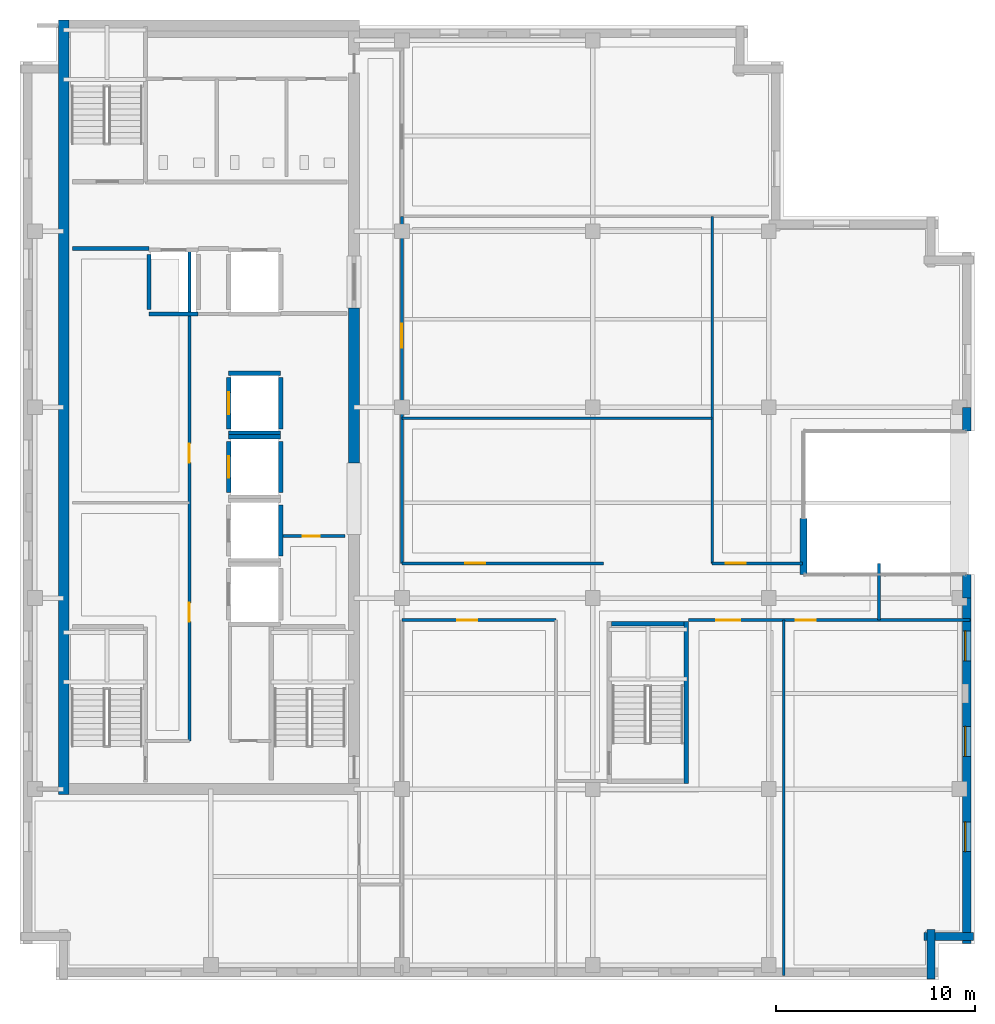
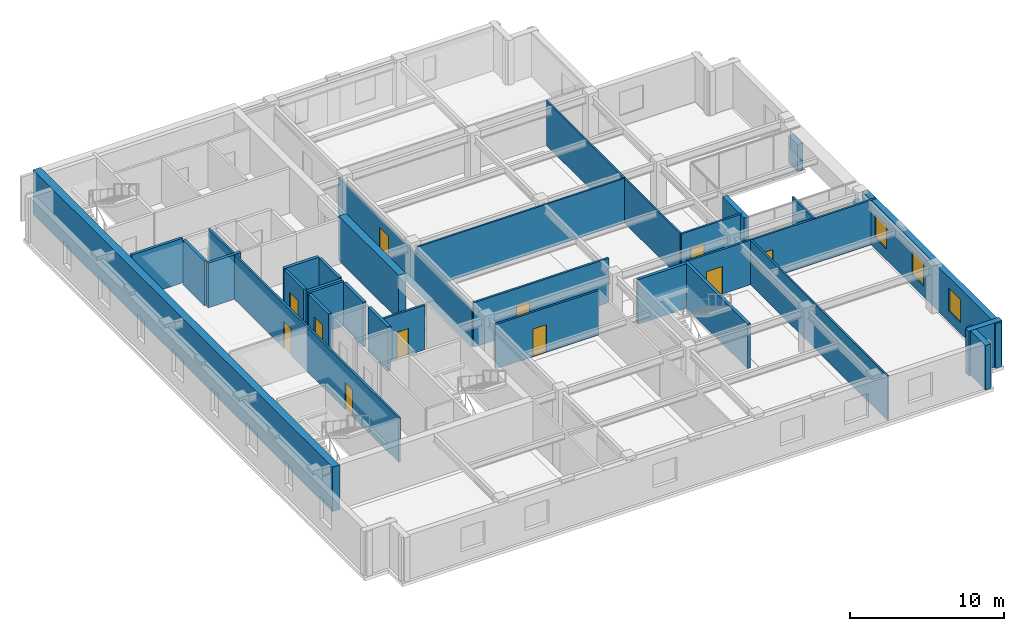
# One storey, part 4 of 11: 32 walls, 11 doors, 3 windows, 14 openings.
"""IFC4 building model written with IfcOpenShell, lengths in metres."""

import ifcopenshell
import ifcopenshell.guid

model = None  # the IFC model being written
_history = None  # IfcOwnerHistory: only IFC2X3 demands one
_inside = {}  # id of a spatial element -> (the spatial element, [elements in it])
_under = {}  # id of a project, library or spatial element -> (it, [spatial elements below it])
_declared = {}  # id of a project -> (the project, [libraries it declares])
_typed = {}  # id of a type object -> (the type object, [elements of that type])
_made_of = {}  # id of a material, layer set ... -> (it, [elements and type objects made of it])


def new_model(schema):
    """Start an empty IFC model of exactly this schema.

    Asked for "IFC4X3", IfcOpenShell would pick the latest addendum, in which some entities
    have other attributes; the version numbers below select the first issue.
    IFC2X3 requires an IfcOwnerHistory on every rooted entity: one is made here for all.
    """
    global model, _history
    if schema == "IFC4X3":
        model = ifcopenshell.file(schema_version=(4, 3, 0, 0))
    else:
        model = ifcopenshell.file(schema=schema)
    _inside.clear()
    _under.clear()
    _declared.clear()
    _typed.clear()
    _made_of.clear()
    _history = None
    if model.schema == "IFC2X3":
        org = make("IfcOrganization", Name="unknown")
        user = make(
            "IfcPersonAndOrganization",
            ThePerson=make("IfcPerson", FamilyName="unknown"),
            TheOrganization=org,
        )
        app = make(
            "IfcApplication",
            ApplicationDeveloper=org,
            Version="unknown",
            ApplicationFullName="unknown",
            ApplicationIdentifier="unknown",
        )
        _history = make(
            "IfcOwnerHistory",
            OwningUser=user,
            OwningApplication=app,
            ChangeAction="ADDED",
            CreationDate=0,
        )
    return model


def make(cls, **values):
    """One entity of the class cls with the attributes given. An attribute that is None is left unset."""
    return model.create_entity(
        cls, **{name: value for name, value in values.items() if value is not None}
    )


def rooted(cls, **values):
    """An entity with a GlobalId (a new one), such as an element, a storey or a relation."""
    return make(cls, GlobalId=ifcopenshell.guid.new(), OwnerHistory=_history, **values)


def si_unit(unit_type, name, prefix=None):
    """IfcSIUnit, for example si_unit("LENGTHUNIT", "METRE", prefix="MILLI")."""
    return make("IfcSIUnit", UnitType=unit_type, Prefix=prefix, Name=name)


def assignment(units):
    """IfcUnitAssignment: the units of a project."""
    return None if units is None else make("IfcUnitAssignment", Units=units)


def point(xyz):
    """IfcCartesianPoint."""
    return None if xyz is None else make("IfcCartesianPoint", Coordinates=xyz)


def direction(xyz):
    """IfcDirection."""
    return None if xyz is None else make("IfcDirection", DirectionRatios=xyz)


def frame(location, z_axis=None, x_axis=None):
    """IfcAxis2Placement3D, a coordinate frame: its origin and axes. An axis left out is left unset."""
    return make(
        "IfcAxis2Placement3D",
        Location=point(location),
        Axis=direction(z_axis),
        RefDirection=direction(x_axis),
    )


def frame_2d(location, x_axis=None):
    """IfcAxis2Placement2D, a coordinate frame in the plane: its origin and x axis."""
    return make(
        "IfcAxis2Placement2D", Location=point(location), RefDirection=direction(x_axis)
    )


def origin():
    """The frame at (0, 0, 0) with its axes left unset."""
    return frame((0.0, 0.0, 0.0))


def place(relative_to, where):
    """IfcLocalPlacement: puts the frame where relative to a parent placement (None: the world)."""
    return make(
        "IfcLocalPlacement", PlacementRelTo=relative_to, RelativePlacement=where
    )


def context(
    kind, dimensions, precision=None, world=None, true_north=None, identifier=None
):
    """IfcGeometricRepresentationContext, for example the 3D "Model" context."""
    return make(
        "IfcGeometricRepresentationContext",
        ContextIdentifier=identifier,
        ContextType=kind,
        CoordinateSpaceDimension=dimensions,
        Precision=precision,
        WorldCoordinateSystem=world,
        TrueNorth=true_north,
    )


def subcontext(parent, identifier, kind, view, scale=None):
    """IfcGeometricRepresentationSubContext, for example "Body" below "Model"."""
    return make(
        "IfcGeometricRepresentationSubContext",
        ContextIdentifier=identifier,
        ContextType=kind,
        ParentContext=parent,
        TargetScale=scale,
        TargetView=view,
    )


def project(units=None, contexts=None):
    """IfcProject with its units and contexts."""
    return rooted(
        "IfcProject",
        Name="project",
        RepresentationContexts=contexts,
        UnitsInContext=assignment(units),
    )


def spatial(cls, under=None, at=None, **own):
    """A site, building, storey or space (cls), placed at a placement, below another one or the project."""
    s = rooted(cls, ObjectPlacement=at, **own)
    if under is not None:
        _under.setdefault(under.id(), (under, []))[1].append(s)
    return s


def profile(cls, at=None, kind="AREA", **sizes):
    """A parametric profile (cls). Its sizes go by their IFC names, for example OverallWidth=200.0."""
    return make(cls, ProfileType=kind, Position=at, **sizes)


def rectangle(**sizes):
    """IfcRectangleProfileDef."""
    return profile("IfcRectangleProfileDef", **sizes)


def extrude(swept, where, along, depth):
    """IfcExtrudedAreaSolid: the profile swept, set in the frame where, extruded along a direction by depth."""
    return make(
        "IfcExtrudedAreaSolid",
        SweptArea=swept,
        Position=where,
        ExtrudedDirection=direction(along),
        Depth=depth,
    )


def shape(context_of_items, identifier, shape_type, items):
    """IfcShapeRepresentation: the items that make up one representation, for example the "Body"."""
    return make(
        "IfcShapeRepresentation",
        ContextOfItems=context_of_items,
        RepresentationIdentifier=identifier,
        RepresentationType=shape_type,
        Items=items,
    )


def material(Name=None, Category=None):
    """IfcMaterial."""
    return make("IfcMaterial", Name=Name, Category=Category)


def layer(
    of_material, thickness, ventilated=None, Name=None, Category=None, Priority=None
):
    """IfcMaterialLayer: one layer of a wall or slab, of a material (None: an air gap)."""
    return make(
        "IfcMaterialLayer",
        Material=of_material,
        LayerThickness=thickness,
        IsVentilated=ventilated,
        Name=Name,
        Category=Category,
        Priority=Priority,
    )


def layer_set(layers, Name=None):
    """IfcMaterialLayerSet."""
    return make("IfcMaterialLayerSet", MaterialLayers=layers, LayerSetName=Name)


def made_of(thing, what):
    """Note that an element or type object is made of a material, layer set ...; save() writes the relation."""
    if what is not None:
        _made_of.setdefault(what.id(), (what, []))[1].append(thing)
    return thing


def type_object(cls, material=None, **own):
    """A type object (cls), such as IfcWallType, which elements share."""
    return made_of(rooted(cls, **own), material)


def element(
    cls,
    number,
    at=None,
    inside=None,
    cuts=None,
    type_object=None,
    material=None,
    context=None,
    identifier="Body",
    shape_type=None,
    held_by="IfcProductDefinitionShape",
    body=None,
    shapes=None,
    **own,
):
    """One element of the class cls, such as IfcWall. Its Tag is "e" and its number.

    at: its placement. inside: the storey or other place that contains it. cuts: it is an
    opening in that element (IfcRelVoidsElement). A single representation is given by context,
    identifier, shape_type and body (its items); several are given by shapes. held_by: the class
    of the entity that holds the representations. save() writes the other relations.
    """
    e = rooted(cls, Tag="e%d" % number, ObjectPlacement=at, **own)
    if body is not None:
        shapes = [shape(context, identifier, shape_type, body)]
    if shapes is not None:
        e.Representation = make(held_by, Representations=shapes)
    if inside is not None:
        _inside.setdefault(inside.id(), (inside, []))[1].append(e)
    if cuts is not None:
        rooted(
            "IfcRelVoidsElement", RelatingBuildingElement=cuts, RelatedOpeningElement=e
        )
    if type_object is not None:
        _typed.setdefault(type_object.id(), (type_object, []))[1].append(e)
    return made_of(e, material)


def fill(opening, filler):
    """IfcRelFillsElement: the door or window that sits in an opening."""
    return rooted(
        "IfcRelFillsElement",
        RelatingOpeningElement=opening,
        RelatedBuildingElement=filler,
    )


def aggregate(whole, parts):
    """IfcRelAggregates: a whole, such as a stair, and the parts it consists of."""
    return rooted("IfcRelAggregates", RelatingObject=whole, RelatedObjects=parts)


def save(model, path):
    """Write the relations noted so far, then the file.

    IfcRelAggregates (storeys below a building ...), IfcRelContainedInSpatialStructure (elements
    in a storey), IfcRelDefinesByType, IfcRelAssociatesMaterial and IfcRelDeclares: one each for
    every whole, place, type object, material and project.
    """
    for whole, parts in _under.values():
        aggregate(whole, parts)
    for where, things in _inside.values():
        rooted(
            "IfcRelContainedInSpatialStructure",
            RelatedElements=things,
            RelatingStructure=where,
        )
    for kind, things in _typed.values():
        rooted("IfcRelDefinesByType", RelatedObjects=things, RelatingType=kind)
    for what, things in _made_of.values():
        rooted("IfcRelAssociatesMaterial", RelatedObjects=things, RelatingMaterial=what)
    for by, libraries in _declared.values():
        rooted("IfcRelDeclares", RelatingContext=by, RelatedDefinitions=libraries)
    model.write(path)


model = new_model("IFC4")

# Units and contexts
model_context = context("Model", 3, precision=1e-05, world=origin(), true_north=direction((0.0, 1.0)))
body_context = subcontext(model_context, "Body", "Model", "MODEL_VIEW")
ifc_project = project(units=[si_unit("LENGTHUNIT", "METRE"), si_unit("AREAUNIT", "SQUARE_METRE"), si_unit("VOLUMEUNIT", "CUBIC_METRE"), si_unit("PLANEANGLEUNIT", "RADIAN"), si_unit("MASSUNIT", "GRAM", prefix="KILO")], contexts=[model_context])

# Site, building, storey
site_placement = place(None, origin())
site = spatial("IfcSite", under=ifc_project, at=site_placement, CompositionType="ELEMENT")
building_placement = place(site_placement, origin())
building = spatial("IfcBuilding", under=site, at=building_placement, Name="Norrvale University Quadrangle", CompositionType="ELEMENT")
storey_placement = place(building_placement, frame((0.0, 0.0, 281.0)))
storey = spatial("IfcBuildingStorey", under=building, at=storey_placement, Name="L71", CompositionType="ELEMENT", Elevation=281.0)

# Walls
ifc_material_1 = material(Name="Buff Norman Clay Brick Masonry", Category="masonry")
ifc_layer_1 = layer(ifc_material_1, 0.419921875, Name="Buff Norman Clay Brick Masonry")
ifc_layer_set_1 = layer_set([ifc_layer_1], Name="Buff Norman Clay Brick Masonry")
wall_type_1 = type_object("IfcWallType", Name="Wall Buff Brick 420", PredefinedType="SOLIDWALL", material=ifc_layer_set_1)
for number, where, z_axis, x_axis, name in (
    (1, (45.81005859375, 0.0400390625, 0.0), (0.0, 0.0, 1.0), (0.0, 1.0, 0.0), "Exterior Brick Facade Wall L71-02.1"),
    (2, (45.4599609375, 2.18994140625, 0.0), (0.0, 0.0, 1.0), (1.0, 0.0, 0.0), "Exterior Brick Facade Wall L71-03.1"),
):
    element("IfcWall", number, at=place(storey_placement, frame(where, z_axis=z_axis, x_axis=x_axis)), inside=storey, type_object=wall_type_1, Name=name, PredefinedType="SOLIDWALL", context=body_context, shape_type="SweptSolid", body=[
        extrude(rectangle(XDim=2.5, YDim=0.419921875, at=frame_2d((1.25, 0.0))), origin(), (0.0, 0.0, 1.0), 3.5400390625),
    ])

# Wall, openings, windows
wall_1_placement = place(storey_placement, frame((47.610107421875, 1.840087890625, 0.0), z_axis=(0.0, 0.0, 1.0), x_axis=(0.0, 1.0, 0.0)))
wall_1 = element("IfcWall", 3, at=wall_1_placement, inside=storey, type_object=wall_type_1, Name="Exterior Brick Facade Wall L71-04.1", PredefinedType="SOLIDWALL", context=body_context, shape_type="SweptSolid", body=[
    extrude(rectangle(XDim=17.35986328125, YDim=0.419921875, at=frame_2d((8.679931640625, 0.0))), origin(), (0.0, 0.0, 1.0), 3.5400390625),
])
opening_1_placement = place(wall_1_placement, frame((4.610107421875, 0.0, 0.85009765625)))
opening_1 = element("IfcOpeningElement", 4, at=opening_1_placement, cuts=wall_1, Name="Opening W03", PredefinedType="OPENING", context=body_context, shape_type="SweptSolid", body=[
    extrude(rectangle(XDim=1.5, YDim=1.85009765625, at=frame_2d((0.75, 0.925048828125))), frame((0.0, 0.221923828125, 0.0), z_axis=(0.0, -1.0, 0.0), x_axis=(1.0, 0.0, 0.0)), (0.0, 0.0, 1.0), 0.44384765625),
])
opening_2_placement = place(wall_1_placement, frame((9.409912109375, 0.0, 0.85009765625)))
opening_2 = element("IfcOpeningElement", 5, at=opening_2_placement, cuts=wall_1, Name="Opening W03", PredefinedType="OPENING", context=body_context, shape_type="SweptSolid", body=[
    extrude(rectangle(XDim=1.5, YDim=1.85009765625, at=frame_2d((0.75, 0.925048828125))), frame((0.0, 0.221923828125, 0.0), z_axis=(0.0, -1.0, 0.0), x_axis=(1.0, 0.0, 0.0)), (0.0, 0.0, 1.0), 0.44384765625),
])
opening_3_placement = place(wall_1_placement, frame((14.2099609375, 0.0, 0.85009765625)))
opening_3 = element("IfcOpeningElement", 6, at=opening_3_placement, cuts=wall_1, Name="Opening W03", PredefinedType="OPENING", context=body_context, shape_type="SweptSolid", body=[
    extrude(rectangle(XDim=1.5, YDim=1.85009765625, at=frame_2d((0.75, 0.925048828125))), frame((0.0, 0.221923828125, 0.0), z_axis=(0.0, -1.0, 0.0), x_axis=(1.0, 0.0, 0.0)), (0.0, 0.0, 1.0), 0.44384765625),
])
ifc_material_2 = material(Name="Triple Low-E Argon Glazing", Category="glass")
window_type = type_object("IfcWindowType", Name="Window Studio 1500x2300", PartitioningType="DOUBLE_PANEL_VERTICAL", PredefinedType="WINDOW", material=ifc_material_2)
window_1_placement = place(opening_1_placement, origin())
window_1 = element("IfcWindow", 7, at=window_1_placement, inside=storey, type_object=window_type, Name="Window Studio 1500x2300 WIN-L71-E04-1-01", OverallHeight=1.85009765625, OverallWidth=1.5, PartitioningType="DOUBLE_PANEL_VERTICAL", PredefinedType="WINDOW", context=body_context, shape_type="SweptSolid", body=[
    extrude(rectangle(XDim=1.5, YDim=1.85009765625, at=frame_2d((0.75, 0.925048828125))), frame((0.0, 0.110107421875, 0.0), z_axis=(0.0, -1.0, 0.0), x_axis=(1.0, 0.0, 0.0)), (0.0, 0.0, 1.0), 0.06005859375),
])
fill(opening_1, window_1)
window_2_placement = place(opening_2_placement, origin())
window_2 = element("IfcWindow", 8, at=window_2_placement, inside=storey, type_object=window_type, Name="Window Studio 1500x2300 WIN-L71-E04-1-02", OverallHeight=1.85009765625, OverallWidth=1.5, PartitioningType="DOUBLE_PANEL_VERTICAL", PredefinedType="WINDOW", context=body_context, shape_type="SweptSolid", body=[
    extrude(rectangle(XDim=1.5, YDim=1.85009765625, at=frame_2d((0.75, 0.925048828125))), frame((0.0, 0.110107421875, 0.0), z_axis=(0.0, -1.0, 0.0), x_axis=(1.0, 0.0, 0.0)), (0.0, 0.0, 1.0), 0.06005859375),
])
fill(opening_2, window_2)
window_3_placement = place(opening_3_placement, origin())
window_3 = element("IfcWindow", 9, at=window_3_placement, inside=storey, type_object=window_type, Name="Window Studio 1500x2300 WIN-L71-E04-1-03", OverallHeight=1.85009765625, OverallWidth=1.5, PartitioningType="DOUBLE_PANEL_VERTICAL", PredefinedType="WINDOW", context=body_context, shape_type="SweptSolid", body=[
    extrude(rectangle(XDim=1.5, YDim=1.85009765625, at=frame_2d((0.75, 0.925048828125))), frame((0.0, 0.110107421875, 0.0), z_axis=(0.0, -1.0, 0.0), x_axis=(1.0, 0.0, 0.0)), (0.0, 0.0, 1.0), 0.06005859375),
])
fill(opening_3, window_3)

# Walls
wall_2_placement = place(storey_placement, frame((47.610107421875, 27.60009765625, 0.0), z_axis=(0.0, 0.0, 1.0), x_axis=(0.0, 1.0, 0.0)))
element("IfcWall", 10, at=wall_2_placement, inside=storey, type_object=wall_type_1, Name="Exterior Brick Facade Wall L71-04.2", PredefinedType="SOLIDWALL", context=body_context, shape_type="SweptSolid", body=[
    extrude(rectangle(XDim=1.199951171875, YDim=0.419921875, at=frame_2d((0.60009765625, 0.0))), origin(), (0.0, 0.0, 1.0), 2.139892578125),
])
wall_3_placement = place(storey_placement, frame((39.39990234375, 20.39990234375, 0.0), z_axis=(0.0, 0.0, 1.0), x_axis=(0.0, 1.0, 0.0)))
element("IfcWall", 11, at=wall_3_placement, inside=storey, type_object=wall_type_1, Name="Sky Garden Loggia Access Wall L71", PredefinedType="SOLIDWALL", context=body_context, shape_type="SweptSolid", body=[
    extrude(rectangle(XDim=2.800048828125, YDim=0.360107421875, at=frame_2d((1.39990234375, 0.0))), origin(), (0.0, 0.0, 1.0), 3.5400390625),
])
wall_4_placement = place(storey_placement, frame((47.610107421875, 19.199951171875, 0.0), z_axis=(0.0, 0.0, 1.0), x_axis=(0.0, 1.0, 0.0)))
element("IfcWall", 12, at=wall_4_placement, inside=storey, type_object=wall_type_1, Name="Exterior Brick Facade Wall L71-04.1 B2", PredefinedType="SOLIDWALL", context=body_context, shape_type="SweptSolid", body=[
    extrude(rectangle(XDim=1.199951171875, YDim=0.419921875, at=frame_2d((0.60009765625, 0.0))), origin(), (0.0, 0.0, 1.0), 2.139892578125),
])
ifc_material_3 = material(Name="Concrete C60/75", Category="concrete")
ifc_layer_2 = layer(ifc_material_3, 0.550048828125, Name="Concrete C60/75")
ifc_layer_set_2 = layer_set([ifc_layer_2], Name="Concrete C60/75")
wall_type_2 = type_object("IfcWallType", Name="Wall Core 550", PredefinedType="SHEAR", material=ifc_layer_set_2)
wall_5_placement = place(storey_placement, frame((2.199951171875, 9.324951171875, 0.0), z_axis=(0.0, 0.0, 1.0), x_axis=(0.0, 1.0, 0.0)))
element("IfcWall", 13, at=wall_5_placement, inside=storey, type_object=wall_type_2, Name="Tower Core Shear Wall L71-W", PredefinedType="SHEAR", context=body_context, shape_type="SweptSolid", body=[
    extrude(rectangle(XDim=38.949951171875, YDim=0.550048828125, at=frame_2d((19.47509765625, 0.0))), origin(), (0.0, 0.0, 1.0), 3.5400390625),
])
wall_6_placement = place(storey_placement, frame((16.800048828125, 26.0, 0.0), z_axis=(0.0, 0.0, 1.0), x_axis=(0.0, 1.0, 0.0)))
element("IfcWall", 14, at=wall_6_placement, inside=storey, type_object=wall_type_2, Name="Tower Core Shear Wall L71-E2", PredefinedType="SHEAR", context=body_context, shape_type="SweptSolid", body=[
    extrude(rectangle(XDim=7.800048828125, YDim=0.550048828125, at=frame_2d((3.89990234375, 0.0))), origin(), (0.0, 0.0, 1.0), 3.5400390625),
])
ifc_material_4 = material(Name="Standard Academic Gypsum Partition")
ifc_layer_3 = layer(ifc_material_4, 0.125, Name="Standard Academic Gypsum Partition")
ifc_layer_set_3 = layer_set([ifc_layer_3], Name="Standard Academic Gypsum Partition")
wall_type_3 = type_object("IfcWallType", Name="Wall Gypsum Academic 125", PredefinedType="PARTITIONING", material=ifc_layer_set_3)
wall_7_placement = place(storey_placement, frame((38.39990234375, 0.219970703125, 0.0), z_axis=(0.0, 0.0, 1.0), x_axis=(0.0, 1.0, 0.0)))
element("IfcWall", 15, at=wall_7_placement, inside=storey, type_object=wall_type_3, Name="Interior Partition WL-L71-SEP2", PredefinedType="PARTITIONING", context=body_context, shape_type="SweptSolid", body=[
    extrude(rectangle(XDim=17.880126953125, YDim=0.125, at=frame_2d((8.93994140625, 0.0))), origin(), (0.0, 0.0, 1.0), 3.5400390625),
])
wall_8_placement = place(storey_placement, frame((19.199951171875, 28.25, 0.0), z_axis=(0.0, 0.0, 1.0), x_axis=(1.0, 0.0, 0.0)))
element("IfcWall", 16, at=wall_8_placement, inside=storey, type_object=wall_type_3, Name="Interior Partition WL-L71-MEN-S", PredefinedType="PARTITIONING", context=body_context, shape_type="SweptSolid", body=[
    extrude(rectangle(XDim=15.60009765625, YDim=0.125, at=frame_2d((7.800048828125, 0.0))), origin(), (0.0, 0.0, 1.0), 3.5400390625),
])
wall_9_placement = place(storey_placement, frame((34.800048828125, 20.949951171875, 0.0), z_axis=(0.0, 0.0, 1.0), x_axis=(0.0, 1.0, 0.0)))
element("IfcWall", 17, at=wall_9_placement, inside=storey, type_object=wall_type_3, Name="Interior Partition WL-L71-MEN-E", PredefinedType="PARTITIONING", context=body_context, shape_type="SweptSolid", body=[
    extrude(rectangle(XDim=17.449951171875, YDim=0.125, at=frame_2d((8.72509765625, 0.0))), origin(), (0.0, 0.0, 1.0), 3.5400390625),
])

# Wall, opening, door
ifc_material_5 = material(Name="Fire-Rated Gypsum Stud Partition")
ifc_layer_4 = layer(ifc_material_5, 0.14990234375, Name="Fire-Rated Gypsum Stud Partition")
ifc_layer_set_4 = layer_set([ifc_layer_4], Name="Fire-Rated Gypsum Stud Partition")
wall_type_4 = type_object("IfcWallType", Name="Wall Gypsum Corridor 150", PredefinedType="PARTITIONING", material=ifc_layer_set_4)
wall_10_placement = place(storey_placement, frame((13.22509765625, 22.320068359375, 0.0), z_axis=(0.0, 0.0, 1.0), x_axis=(1.0, 0.0, 0.0)))
wall_10 = element("IfcWall", 18, at=wall_10_placement, inside=storey, type_object=wall_type_4, Name="Interior Partition WL-L71-JAN-N", PredefinedType="PARTITIONING", context=body_context, shape_type="SweptSolid", body=[
    extrude(rectangle(XDim=3.119873046875, YDim=0.14990234375, at=frame_2d((1.56005859375, 0.0))), origin(), (0.0, 0.0, 1.0), 3.5400390625),
])
opening_4_placement = place(wall_10_placement, frame((1.0, 0.0, 0.0)))
opening_4 = element("IfcOpeningElement", 19, at=opening_4_placement, cuts=wall_10, Name="Opening D10", PredefinedType="OPENING", context=body_context, shape_type="SweptSolid", body=[
    extrude(rectangle(XDim=0.85009765625, YDim=2.10009765625, at=frame_2d((0.425048828125, 1.050048828125))), frame((0.0, 0.0869140625, 0.0), z_axis=(0.0, -1.0, 0.0), x_axis=(1.0, 0.0, 0.0)), (0.0, 0.0, 1.0), 0.173828125),
])
ifc_material_6 = material(Name="Hollow Steel 350W Riser Fire Door", Category="steel")
door_type_1 = type_object("IfcDoorType", Name="Door Riser 850x2100", OperationType="NOTDEFINED", PredefinedType="DOOR", material=ifc_material_6)
door_1_placement = place(opening_4_placement, origin())
door_1 = element("IfcDoor", 20, at=door_1_placement, inside=storey, type_object=door_type_1, Name="Door Riser 850x2100 DR-L71-JAN", OperationType="SINGLE_SWING_LEFT", OverallHeight=2.10009765625, OverallWidth=0.85009765625, PredefinedType="DOOR", context=body_context, shape_type="SweptSolid", body=[
    extrude(rectangle(XDim=0.85009765625, YDim=2.10009765625, at=frame_2d((0.425048828125, 1.050048828125))), frame((0.0, 0.02490234375, 0.0), z_axis=(0.0, -1.0, 0.0), x_axis=(1.0, 0.0, 0.0)), (0.0, 0.0, 1.0), 0.050048828125),
])
fill(opening_4, door_1)

# Wall, openings, doors
wall_11_placement = place(storey_placement, frame((8.52001953125, 12.02001953125, 0.0), z_axis=(0.0, 0.0, 1.0), x_axis=(0.0, 1.0, 0.0)))
wall_11 = element("IfcWall", 21, at=wall_11_placement, inside=storey, type_object=wall_type_4, Name="Interior Partition WL-L71-REC-E", PredefinedType="PARTITIONING", context=body_context, shape_type="SweptSolid", body=[
    extrude(rectangle(XDim=24.760009765625, YDim=0.14990234375, at=frame_2d((12.3798828125, 0.0))), origin(), (0.0, 0.0, 1.0), 3.5400390625),
])
opening_5_placement = place(wall_11_placement, frame((6.0, 0.0, 0.0)))
opening_5 = element("IfcOpeningElement", 22, at=opening_5_placement, cuts=wall_11, Name="Opening D07", PredefinedType="OPENING", context=body_context, shape_type="SweptSolid", body=[
    extrude(rectangle(XDim=0.949951171875, YDim=2.14990234375, at=frame_2d((0.47509765625, 1.074951171875))), frame((0.0, 0.0869140625, 0.0), z_axis=(0.0, -1.0, 0.0), x_axis=(1.0, 0.0, 0.0)), (0.0, 0.0, 1.0), 0.173828125),
])
opening_6_placement = place(wall_11_placement, frame((14.0, 0.0, 0.0)))
opening_6 = element("IfcOpeningElement", 23, at=opening_6_placement, cuts=wall_11, Name="Opening D07", PredefinedType="OPENING", context=body_context, shape_type="SweptSolid", body=[
    extrude(rectangle(XDim=0.949951171875, YDim=2.14990234375, at=frame_2d((0.47509765625, 1.074951171875))), frame((0.0, 0.0869140625, 0.0), z_axis=(0.0, -1.0, 0.0), x_axis=(1.0, 0.0, 0.0)), (0.0, 0.0, 1.0), 0.173828125),
])
ifc_material_7 = material(Name="Solid-Core Maple Door", Category="wood")
door_type_2 = type_object("IfcDoorType", Name="Door Office 950x2150", OperationType="NOTDEFINED", PredefinedType="DOOR", material=ifc_material_7)
door_2_placement = place(opening_5_placement, origin())
door_2 = element("IfcDoor", 24, at=door_2_placement, inside=storey, type_object=door_type_2, Name="Door Office 950x2150 DR-L71-REC1", OperationType="SINGLE_SWING_LEFT", OverallHeight=2.14990234375, OverallWidth=0.949951171875, PredefinedType="DOOR", context=body_context, shape_type="SweptSolid", body=[
    extrude(rectangle(XDim=0.949951171875, YDim=2.14990234375, at=frame_2d((0.47509765625, 1.074951171875))), frame((0.0, 0.02490234375, 0.0), z_axis=(0.0, -1.0, 0.0), x_axis=(1.0, 0.0, 0.0)), (0.0, 0.0, 1.0), 0.050048828125),
])
fill(opening_5, door_2)
door_3_placement = place(opening_6_placement, origin())
door_3 = element("IfcDoor", 25, at=door_3_placement, inside=storey, type_object=door_type_2, Name="Door Office 950x2150 DR-L71-REC2", OperationType="SINGLE_SWING_RIGHT", OverallHeight=2.14990234375, OverallWidth=0.949951171875, PredefinedType="DOOR", context=body_context, shape_type="SweptSolid", body=[
    extrude(rectangle(XDim=0.949951171875, YDim=2.14990234375, at=frame_2d((0.47509765625, 1.074951171875))), frame((0.0, 0.02490234375, 0.0), z_axis=(0.0, -1.0, 0.0), x_axis=(1.0, 0.0, 0.0)), (0.0, 0.0, 1.0), 0.050048828125),
])
fill(opening_6, door_3)

# Wall
wall_12_placement = place(storey_placement, frame((43.199951171875, 18.10009765625, 0.0), z_axis=(0.0, 0.0, 1.0), x_axis=(0.0, 1.0, 0.0)))
element("IfcWall", 26, at=wall_12_placement, inside=storey, type_object=wall_type_4, Name="Interior Partition WL-L71-CESP-E", PredefinedType="PARTITIONING", context=body_context, shape_type="SweptSolid", body=[
    extrude(rectangle(XDim=2.849853515625, YDim=0.14990234375, at=frame_2d((1.4248046875, 0.0))), origin(), (0.0, 0.0, 1.0), 3.5400390625),
])

# Wall, opening, door
wall_13_placement = place(storey_placement, frame((19.199951171875, 18.10009765625, 0.0), z_axis=(0.0, 0.0, 1.0), x_axis=(1.0, 0.0, 0.0)))
wall_13 = element("IfcWall", 27, at=wall_13_placement, inside=storey, type_object=wall_type_4, Name="Interior Partition WL-L71-SEW1", PredefinedType="PARTITIONING", context=body_context, shape_type="SweptSolid", body=[
    extrude(rectangle(XDim=7.75, YDim=0.14990234375, at=frame_2d((3.875, 0.0))), origin(), (0.0, 0.0, 1.0), 3.5400390625),
])
opening_7_placement = place(wall_13_placement, frame((2.800048828125, 0.0, 0.0)))
opening_7 = element("IfcOpeningElement", 28, at=opening_7_placement, cuts=wall_13, Name="Opening D04", PredefinedType="OPENING", context=body_context, shape_type="SweptSolid", body=[
    extrude(rectangle(XDim=1.0, YDim=2.199951171875, at=frame_2d((0.5, 1.10009765625))), frame((0.0, 0.0869140625, 0.0), z_axis=(0.0, -1.0, 0.0), x_axis=(1.0, 0.0, 0.0)), (0.0, 0.0, 1.0), 0.173828125),
])
ifc_material_8 = material(Name="Solid-Core Oak Fire Door", Category="wood")
door_type_3 = type_object("IfcDoorType", Name="Door Corridor 1000x2200", OperationType="NOTDEFINED", PredefinedType="DOOR", material=ifc_material_8)
door_4_placement = place(opening_7_placement, origin())
door_4 = element("IfcDoor", 29, at=door_4_placement, inside=storey, type_object=door_type_3, Name="Door Corridor 1000x2200 DR-L71-SE1", OperationType="SINGLE_SWING_LEFT", OverallHeight=2.199951171875, OverallWidth=1.0, PredefinedType="DOOR", context=body_context, shape_type="SweptSolid", body=[
    extrude(rectangle(XDim=1.0, YDim=2.199951171875, at=frame_2d((0.5, 1.10009765625))), frame((0.0, 0.02490234375, 0.0), z_axis=(0.0, -1.0, 0.0), x_axis=(1.0, 0.0, 0.0)), (0.0, 0.0, 1.0), 0.050048828125),
])
fill(opening_7, door_4)

# Wall, openings, doors
wall_14_placement = place(storey_placement, frame((33.6201171875, 18.10009765625, 0.0), z_axis=(0.0, 0.0, 1.0), x_axis=(1.0, 0.0, 0.0)))
wall_14 = element("IfcWall", 30, at=wall_14_placement, inside=storey, type_object=wall_type_4, Name="Interior Partition WL-L71-SEW2", PredefinedType="PARTITIONING", context=body_context, shape_type="SweptSolid", body=[
    extrude(rectangle(XDim=14.159912109375, YDim=0.14990234375, at=frame_2d((7.080078125, 0.0))), origin(), (0.0, 0.0, 1.0), 3.5400390625),
])
opening_8_placement = place(wall_14_placement, frame((1.39990234375, 0.0, 0.0)))
opening_8 = element("IfcOpeningElement", 31, at=opening_8_placement, cuts=wall_14, Name="Opening D05", PredefinedType="OPENING", context=body_context, shape_type="SweptSolid", body=[
    extrude(rectangle(XDim=1.199951171875, YDim=2.199951171875, at=frame_2d((0.60009765625, 1.10009765625))), frame((0.0, 0.0869140625, 0.0), z_axis=(0.0, -1.0, 0.0), x_axis=(1.0, 0.0, 0.0)), (0.0, 0.0, 1.0), 0.173828125),
])
opening_9_placement = place(wall_14_placement, frame((5.39990234375, 0.0, 0.0)))
opening_9 = element("IfcOpeningElement", 32, at=opening_9_placement, cuts=wall_14, Name="Opening D04", PredefinedType="OPENING", context=body_context, shape_type="SweptSolid", body=[
    extrude(rectangle(XDim=1.0, YDim=2.199951171875, at=frame_2d((0.5, 1.10009765625))), frame((0.0, 0.0869140625, 0.0), z_axis=(0.0, -1.0, 0.0), x_axis=(1.0, 0.0, 0.0)), (0.0, 0.0, 1.0), 0.173828125),
])
ifc_material_9 = material(Name="Acoustic Oak Classroom Door", Category="wood")
door_type_4 = type_object("IfcDoorType", Name="Door Classroom 1200x2200", OperationType="NOTDEFINED", PredefinedType="DOOR", material=ifc_material_9)
door_5_placement = place(opening_8_placement, origin())
door_5 = element("IfcDoor", 33, at=door_5_placement, inside=storey, type_object=door_type_4, Name="Door Classroom 1200x2200 DR-L71-SE2", OperationType="SINGLE_SWING_RIGHT", OverallHeight=2.199951171875, OverallWidth=1.199951171875, PredefinedType="DOOR", context=body_context, shape_type="SweptSolid", body=[
    extrude(rectangle(XDim=1.199951171875, YDim=2.199951171875, at=frame_2d((0.60009765625, 1.10009765625))), frame((0.0, 0.02490234375, 0.0), z_axis=(0.0, -1.0, 0.0), x_axis=(1.0, 0.0, 0.0)), (0.0, 0.0, 1.0), 0.050048828125),
])
fill(opening_8, door_5)
door_6_placement = place(opening_9_placement, origin())
door_6 = element("IfcDoor", 34, at=door_6_placement, inside=storey, type_object=door_type_3, Name="Door Corridor 1000x2200 DR-L71-SE3", OperationType="SINGLE_SWING_LEFT", OverallHeight=2.199951171875, OverallWidth=1.0, PredefinedType="DOOR", context=body_context, shape_type="SweptSolid", body=[
    extrude(rectangle(XDim=1.0, YDim=2.199951171875, at=frame_2d((0.5, 1.10009765625))), frame((0.0, 0.02490234375, 0.0), z_axis=(0.0, -1.0, 0.0), x_axis=(1.0, 0.0, 0.0)), (0.0, 0.0, 1.0), 0.050048828125),
])
fill(opening_9, door_6)

# Wall, opening, door
wall_15_placement = place(storey_placement, frame((19.199951171875, 20.949951171875, 0.0), z_axis=(0.0, 0.0, 1.0), x_axis=(1.0, 0.0, 0.0)))
wall_15 = element("IfcWall", 35, at=wall_15_placement, inside=storey, type_object=wall_type_4, Name="Interior Partition WL-L71-MECW1", PredefinedType="PARTITIONING", context=body_context, shape_type="SweptSolid", body=[
    extrude(rectangle(XDim=10.150146484375, YDim=0.14990234375, at=frame_2d((5.0751953125, 0.0))), origin(), (0.0, 0.0, 1.0), 3.5400390625),
])
opening_10_placement = place(wall_15_placement, frame((3.199951171875, 0.0, 0.0)))
opening_10 = element("IfcOpeningElement", 36, at=opening_10_placement, cuts=wall_15, Name="Opening D04", PredefinedType="OPENING", context=body_context, shape_type="SweptSolid", body=[
    extrude(rectangle(XDim=1.0, YDim=2.199951171875, at=frame_2d((0.5, 1.10009765625))), frame((0.0, 0.0869140625, 0.0), z_axis=(0.0, -1.0, 0.0), x_axis=(1.0, 0.0, 0.0)), (0.0, 0.0, 1.0), 0.173828125),
])
door_7_placement = place(opening_10_placement, origin())
door_7 = element("IfcDoor", 37, at=door_7_placement, inside=storey, type_object=door_type_3, Name="Door Corridor 1000x2200 DR-L71-MEW", OperationType="SINGLE_SWING_LEFT", OverallHeight=2.199951171875, OverallWidth=1.0, PredefinedType="DOOR", context=body_context, shape_type="SweptSolid", body=[
    extrude(rectangle(XDim=1.0, YDim=2.199951171875, at=frame_2d((0.5, 1.10009765625))), frame((0.0, 0.02490234375, 0.0), z_axis=(0.0, -1.0, 0.0), x_axis=(1.0, 0.0, 0.0)), (0.0, 0.0, 1.0), 0.050048828125),
])
fill(opening_10, door_7)

wall_16_placement = place(storey_placement, frame((34.800048828125, 20.949951171875, 0.0), z_axis=(0.0, 0.0, 1.0), x_axis=(1.0, 0.0, 0.0)))
wall_16 = element("IfcWall", 38, at=wall_16_placement, inside=storey, type_object=wall_type_4, Name="Interior Partition WL-L71-MECW2", PredefinedType="PARTITIONING", context=body_context, shape_type="SweptSolid", body=[
    extrude(rectangle(XDim=4.550048828125, YDim=0.14990234375, at=frame_2d((2.27490234375, 0.0))), origin(), (0.0, 0.0, 1.0), 3.5400390625),
])
opening_11_placement = place(wall_16_placement, frame((0.699951171875, 0.0, 0.0)))
opening_11 = element("IfcOpeningElement", 39, at=opening_11_placement, cuts=wall_16, Name="Opening D04", PredefinedType="OPENING", context=body_context, shape_type="SweptSolid", body=[
    extrude(rectangle(XDim=1.0, YDim=2.199951171875, at=frame_2d((0.5, 1.10009765625))), frame((0.0, 0.0869140625, 0.0), z_axis=(0.0, -1.0, 0.0), x_axis=(1.0, 0.0, 0.0)), (0.0, 0.0, 1.0), 0.173828125),
])
door_8_placement = place(opening_11_placement, origin())
door_8 = element("IfcDoor", 40, at=door_8_placement, inside=storey, type_object=door_type_3, Name="Door Corridor 1000x2200 DR-L71-MEE", OperationType="SINGLE_SWING_RIGHT", OverallHeight=2.199951171875, OverallWidth=1.0, PredefinedType="DOOR", context=body_context, shape_type="SweptSolid", body=[
    extrude(rectangle(XDim=1.0, YDim=2.199951171875, at=frame_2d((0.5, 1.10009765625))), frame((0.0, 0.02490234375, 0.0), z_axis=(0.0, -1.0, 0.0), x_axis=(1.0, 0.0, 0.0)), (0.0, 0.0, 1.0), 0.050048828125),
])
fill(opening_11, door_8)

wall_17_placement = place(storey_placement, frame((19.199951171875, 20.949951171875, 0.0), z_axis=(0.0, 0.0, 1.0), x_axis=(0.0, 1.0, 0.0)))
wall_17 = element("IfcWall", 41, at=wall_17_placement, inside=storey, type_object=wall_type_4, Name="Interior Partition WL-L71-MEN-W", PredefinedType="PARTITIONING", context=body_context, shape_type="SweptSolid", body=[
    extrude(rectangle(XDim=17.449951171875, YDim=0.14990234375, at=frame_2d((8.72509765625, 0.0))), origin(), (0.0, 0.0, 1.0), 2.923095703125),
])
opening_12_placement = place(wall_17_placement, frame((10.85009765625, 0.0, 0.0)))
opening_12 = element("IfcOpeningElement", 42, at=opening_12_placement, cuts=wall_17, Name="Opening D05", PredefinedType="OPENING", context=body_context, shape_type="SweptSolid", body=[
    extrude(rectangle(XDim=1.199951171875, YDim=2.199951171875, at=frame_2d((0.60009765625, 1.10009765625))), frame((0.0, 0.0869140625, 0.0), z_axis=(0.0, -1.0, 0.0), x_axis=(1.0, 0.0, 0.0)), (0.0, 0.0, 1.0), 0.173828125),
])
door_9_placement = place(opening_12_placement, origin())
door_9 = element("IfcDoor", 43, at=door_9_placement, inside=storey, type_object=door_type_4, Name="Door Classroom 1200x2200 DR-L71-MEN", OperationType="SINGLE_SWING_LEFT", OverallHeight=2.199951171875, OverallWidth=1.199951171875, PredefinedType="DOOR", context=body_context, shape_type="SweptSolid", body=[
    extrude(rectangle(XDim=1.199951171875, YDim=2.199951171875, at=frame_2d((0.60009765625, 1.10009765625))), frame((0.0, 0.02490234375, 0.0), z_axis=(0.0, -1.0, 0.0), x_axis=(1.0, 0.0, 0.0)), (0.0, 0.0, 1.0), 0.050048828125),
])
fill(opening_12, door_9)

# Walls
ifc_material_10 = material(Name="Concrete Blockwork 20 MPa Rated Wall", Category="masonry")
ifc_layer_5 = layer(ifc_material_10, 0.199951171875, Name="Concrete Blockwork 20 MPa Rated Wall")
ifc_layer_set_5 = layer_set([ifc_layer_5], Name="Concrete Blockwork 20 MPa Rated Wall")
wall_type_5 = type_object("IfcWallType", Name="Wall Lobby 200", PredefinedType="SOLIDWALL", material=ifc_layer_set_5)
wall_18_placement = place(storey_placement, frame((2.64990234375, 36.780029296875, 0.0), z_axis=(0.0, 0.0, 1.0), x_axis=(1.0, 0.0, 0.0)))
element("IfcWall", 44, at=wall_18_placement, inside=storey, type_object=wall_type_5, Name="Interior Partition WL-L71-FF1", PredefinedType="SOLIDWALL", context=body_context, shape_type="SweptSolid", body=[
    extrude(rectangle(XDim=3.830078125, YDim=0.199951171875, at=frame_2d((1.9150390625, 0.0))), origin(), (0.0, 0.0, 1.0), 3.5400390625),
])
ifc_material_11 = material(Name="Concrete Blockwork 20 MPa Fire Shaft", Category="masonry")
ifc_layer_6 = layer(ifc_material_11, 0.219970703125, Name="Concrete Blockwork 20 MPa Fire Shaft")
ifc_layer_set_6 = layer_set([ifc_layer_6], Name="Concrete Blockwork 20 MPa Fire Shaft")
wall_type_6 = type_object("IfcWallType", Name="Wall Shaft 220", PredefinedType="SOLIDWALL", material=ifc_layer_set_6)
wall_19_placement = place(storey_placement, frame((33.510009765625, 9.8798828125, 0.0), z_axis=(0.0, 0.0, 1.0), x_axis=(0.0, 1.0, 0.0)))
element("IfcWall", 45, at=wall_19_placement, inside=storey, type_object=wall_type_6, Name="Stair ST-04 East Shaft Wall L71", PredefinedType="SOLIDWALL", context=body_context, shape_type="SweptSolid", body=[
    extrude(rectangle(XDim=8.14013671875, YDim=0.219970703125, at=frame_2d((4.070068359375, 0.0))), origin(), (0.0, 0.0, 1.0), 3.5400390625),
])
wall_20_placement = place(storey_placement, frame((29.75, 17.909912109375, 0.0), z_axis=(0.0, 0.0, 1.0), x_axis=(1.0, 0.0, 0.0)))
element("IfcWall", 46, at=wall_20_placement, inside=storey, type_object=wall_type_6, Name="Stair ST-04 North Shaft Wall L71", PredefinedType="SOLIDWALL", context=body_context, shape_type="SweptSolid", body=[
    extrude(rectangle(XDim=3.64990234375, YDim=0.219970703125, at=frame_2d((1.824951171875, 0.0))), origin(), (0.0, 0.0, 1.0), 3.5400390625),
])
wall_21_placement = place(storey_placement, frame((13.110107421875, 21.31005859375, 0.0), z_axis=(0.0, 0.0, 1.0), x_axis=(0.0, 1.0, 0.0)))
element("IfcWall", 47, at=wall_21_placement, inside=storey, type_object=wall_type_6, Name="Hoistway PL-06 East Wall L71", PredefinedType="SOLIDWALL", context=body_context, shape_type="SweptSolid", body=[
    extrude(rectangle(XDim=2.579833984375, YDim=0.219970703125, at=frame_2d((1.2900390625, 0.0))), origin(), (0.0, 0.0, 1.0), 3.5400390625),
])

# Wall, opening, door
wall_22_placement = place(storey_placement, frame((10.489990234375, 24.510009765625, 0.0), z_axis=(0.0, 0.0, 1.0), x_axis=(0.0, 1.0, 0.0)))
wall_22 = element("IfcWall", 48, at=wall_22_placement, inside=storey, type_object=wall_type_6, Name="Hoistway PL-07 West Wall L71", PredefinedType="SOLIDWALL", context=body_context, shape_type="SweptSolid", body=[
    extrude(rectangle(XDim=2.580078125, YDim=0.219970703125, at=frame_2d((1.2900390625, 0.0))), origin(), (0.0, 0.0, 1.0), 3.5400390625),
])
opening_13_placement = place(wall_22_placement, frame((0.739990234375, 0.0, 0.0)))
opening_13 = element("IfcOpeningElement", 49, at=opening_13_placement, cuts=wall_22, Name="Opening LD1", PredefinedType="OPENING", context=body_context, shape_type="SweptSolid", body=[
    extrude(rectangle(XDim=1.10009765625, YDim=2.199951171875, at=frame_2d((0.550048828125, 1.10009765625))), frame((0.0, 0.1220703125, 0.0), z_axis=(0.0, -1.0, 0.0), x_axis=(1.0, 0.0, 0.0)), (0.0, 0.0, 1.0), 0.243896484375),
])
ifc_material_12 = material(Name="Stainless Steel 316L Lift Landing Door", Category="steel")
door_type_5 = type_object("IfcDoorType", Name="Door Lift Landing 1100x2200", OperationType="DOUBLE_DOOR_SLIDING", PredefinedType="DOOR", material=ifc_material_12)
door_10_placement = place(opening_13_placement, origin())
door_10 = element("IfcDoor", 50, at=door_10_placement, inside=storey, type_object=door_type_5, Name="Elevator Landing Door DR-L71-PL-07", OperationType="DOUBLE_DOOR_SLIDING", OverallHeight=2.199951171875, OverallWidth=1.10009765625, PredefinedType="DOOR", context=body_context, shape_type="SweptSolid", body=[
    extrude(rectangle(XDim=1.10009765625, YDim=2.199951171875, at=frame_2d((0.550048828125, 1.10009765625))), frame((0.0, 0.02490234375, 0.0), z_axis=(0.0, -1.0, 0.0), x_axis=(1.0, 0.0, 0.0)), (0.0, 0.0, 1.0), 0.050048828125),
])
fill(opening_13, door_10)

# Walls
wall_23_placement = place(storey_placement, frame((13.110107421875, 24.510009765625, 0.0), z_axis=(0.0, 0.0, 1.0), x_axis=(0.0, 1.0, 0.0)))
element("IfcWall", 51, at=wall_23_placement, inside=storey, type_object=wall_type_6, Name="Hoistway PL-07 East Wall L71", PredefinedType="SOLIDWALL", context=body_context, shape_type="SweptSolid", body=[
    extrude(rectangle(XDim=2.580078125, YDim=0.219970703125, at=frame_2d((1.2900390625, 0.0))), origin(), (0.0, 0.0, 1.0), 3.5400390625),
])
wall_24_placement = place(storey_placement, frame((10.489990234375, 27.31005859375, 0.0), z_axis=(0.0, 0.0, 1.0), x_axis=(1.0, 0.0, 0.0)))
element("IfcWall", 52, at=wall_24_placement, inside=storey, type_object=wall_type_6, Name="Hoistway PL-07 North Wall L71", PredefinedType="SOLIDWALL", context=body_context, shape_type="SweptSolid", body=[
    extrude(rectangle(XDim=2.6201171875, YDim=0.219970703125, at=frame_2d((1.31005859375, 0.0))), origin(), (0.0, 0.0, 1.0), 3.5400390625),
])

# Wall, opening, door
wall_25_placement = place(storey_placement, frame((10.489990234375, 27.7099609375, 0.0), z_axis=(0.0, 0.0, 1.0), x_axis=(0.0, 1.0, 0.0)))
wall_25 = element("IfcWall", 53, at=wall_25_placement, inside=storey, type_object=wall_type_6, Name="Hoistway PL-08 West Wall L71", PredefinedType="SOLIDWALL", context=body_context, shape_type="SweptSolid", body=[
    extrude(rectangle(XDim=2.580078125, YDim=0.219970703125, at=frame_2d((1.2900390625, 0.0))), origin(), (0.0, 0.0, 1.0), 3.5400390625),
])
opening_14_placement = place(wall_25_placement, frame((0.739990234375, 0.0, 0.0)))
opening_14 = element("IfcOpeningElement", 54, at=opening_14_placement, cuts=wall_25, Name="Opening LD1", PredefinedType="OPENING", context=body_context, shape_type="SweptSolid", body=[
    extrude(rectangle(XDim=1.10009765625, YDim=2.199951171875, at=frame_2d((0.550048828125, 1.10009765625))), frame((0.0, 0.1220703125, 0.0), z_axis=(0.0, -1.0, 0.0), x_axis=(1.0, 0.0, 0.0)), (0.0, 0.0, 1.0), 0.243896484375),
])
door_11_placement = place(opening_14_placement, origin())
door_11 = element("IfcDoor", 55, at=door_11_placement, inside=storey, type_object=door_type_5, Name="Elevator Landing Door DR-L71-PL-08", OperationType="DOUBLE_DOOR_SLIDING", OverallHeight=2.199951171875, OverallWidth=1.10009765625, PredefinedType="DOOR", context=body_context, shape_type="SweptSolid", body=[
    extrude(rectangle(XDim=1.10009765625, YDim=2.199951171875, at=frame_2d((0.550048828125, 1.10009765625))), frame((0.0, 0.02490234375, 0.0), z_axis=(0.0, -1.0, 0.0), x_axis=(1.0, 0.0, 0.0)), (0.0, 0.0, 1.0), 0.050048828125),
])
fill(opening_14, door_11)

# Walls
wall_26_placement = place(storey_placement, frame((13.110107421875, 27.7099609375, 0.0), z_axis=(0.0, 0.0, 1.0), x_axis=(0.0, 1.0, 0.0)))
element("IfcWall", 56, at=wall_26_placement, inside=storey, type_object=wall_type_6, Name="Hoistway PL-08 East Wall L71", PredefinedType="SOLIDWALL", context=body_context, shape_type="SweptSolid", body=[
    extrude(rectangle(XDim=2.580078125, YDim=0.219970703125, at=frame_2d((1.2900390625, 0.0))), origin(), (0.0, 0.0, 1.0), 3.5400390625),
])
for number, where, z_axis, x_axis, name in (
    (57, (10.489990234375, 27.489990234375, 0.0), (0.0, 0.0, 1.0), (1.0, 0.0, 0.0), "Hoistway PL-08 South Wall L71"),
    (58, (10.489990234375, 30.510009765625, 0.0), (0.0, 0.0, 1.0), (1.0, 0.0, 0.0), "Hoistway PL-08 North Wall L71"),
):
    element("IfcWall", number, at=place(storey_placement, frame(where, z_axis=z_axis, x_axis=x_axis)), inside=storey, type_object=wall_type_6, Name=name, PredefinedType="SOLIDWALL", context=body_context, shape_type="SweptSolid", body=[
        extrude(rectangle(XDim=2.6201171875, YDim=0.219970703125, at=frame_2d((1.31005859375, 0.0))), origin(), (0.0, 0.0, 1.0), 3.5400390625),
    ])
wall_27_placement = place(storey_placement, frame((6.489990234375, 33.7099609375, 0.0), z_axis=(0.0, 0.0, 1.0), x_axis=(0.0, 1.0, 0.0)))
element("IfcWall", 59, at=wall_27_placement, inside=storey, type_object=wall_type_6, Name="Hoistway FFL-01 West Wall L71", PredefinedType="SOLIDWALL", context=body_context, shape_type="SweptSolid", body=[
    extrude(rectangle(XDim=2.780029296875, YDim=0.219970703125, at=frame_2d((1.39013671875, 0.0))), origin(), (0.0, 0.0, 1.0), 3.5400390625),
])
wall_28_placement = place(storey_placement, frame((6.489990234375, 33.489990234375, 0.0), z_axis=(0.0, 0.0, 1.0), x_axis=(1.0, 0.0, 0.0)))
element("IfcWall", 60, at=wall_28_placement, inside=storey, type_object=wall_type_6, Name="Hoistway FFL-01 South Wall L71", PredefinedType="SOLIDWALL", context=body_context, shape_type="SweptSolid", body=[
    extrude(rectangle(XDim=2.469970703125, YDim=0.219970703125, at=frame_2d((1.23486328125, 0.0))), origin(), (0.0, 0.0, 1.0), 3.5400390625),
])

save(model, "model.ifc")
